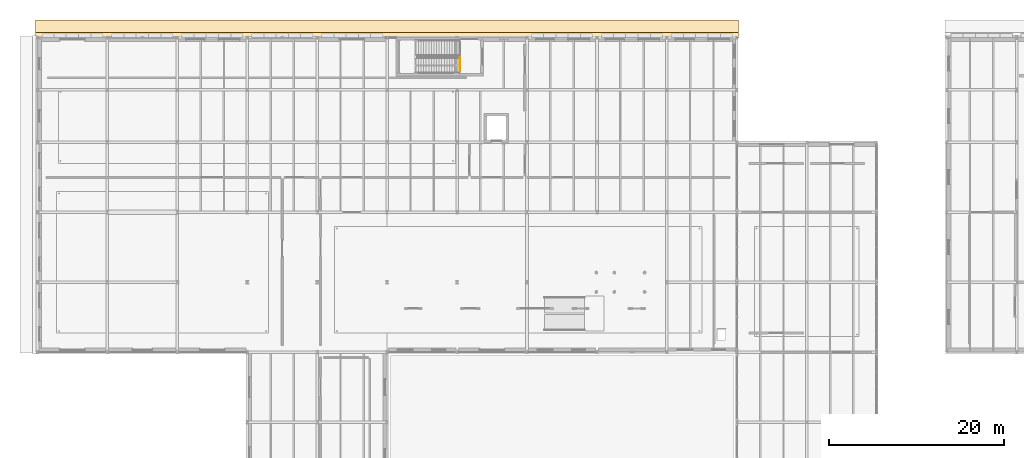
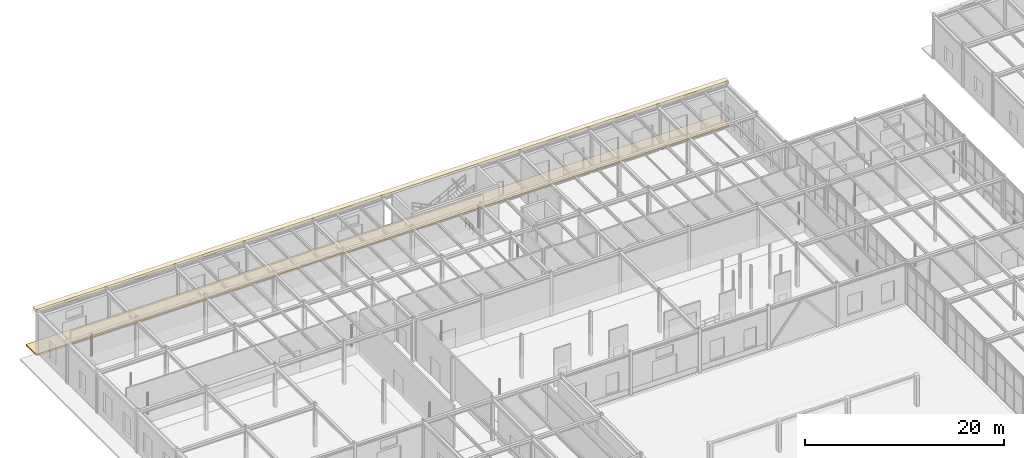
# One storey, part 119 of 129: 2 coverings, 1 railing.
"""IFC4 building model written with IfcOpenShell, lengths in metres."""

from ifc_helpers import new_model, si_unit, direction, frame, origin, origin_2d, place, context, subcontext, project, spatial, polyline, rectangle, circle, outline, extrude, material, layer, layer_set, type_object, element, save


model = new_model("IFC4")

# Units and contexts
model_context = context("Model", 3, precision=1e-05, world=origin(), true_north=direction((0.0, 1.0)))
body_context = subcontext(model_context, "Body", "Model", "MODEL_VIEW")
ifc_project = project(units=[si_unit("LENGTHUNIT", "METRE"), si_unit("AREAUNIT", "SQUARE_METRE"), si_unit("VOLUMEUNIT", "CUBIC_METRE"), si_unit("PLANEANGLEUNIT", "RADIAN"), si_unit("MASSUNIT", "GRAM", prefix="KILO")], contexts=[model_context])

# Site, building, storey
site_placement = place(None, origin())
site = spatial("IfcSite", under=ifc_project, at=site_placement, CompositionType="ELEMENT")
building_placement = place(site_placement, origin())
building = spatial("IfcBuilding", under=site, at=building_placement, Name="Sundkrona Museum", CompositionType="ELEMENT")
storey_placement = place(building_placement, origin())
storey = spatial("IfcBuildingStorey", under=building, at=storey_placement, Name="L00", CompositionType="ELEMENT", Elevation=0.0)

# Coverings
ifc_material_1 = material(Name="Frost-Resistant Vitrified Stoneware Mosaic Cladding", Category="masonry")
ifc_layer = layer(ifc_material_1, 0.044921875)
ifc_layer_set = layer_set([ifc_layer], Name="Frost-Resistant Vitrified Stoneware Mosaic Cladding")
covering_type = type_object("IfcCoveringType", Name="COV-CLD-MOS", PredefinedType="CLADDING", material=ifc_layer_set)
covering_1_placement = place(storey_placement, frame((40.0, 114.280029296875, 5.10986328125), z_axis=(0.0, 0.0, 1.0), x_axis=(1.0, 0.0, 0.0)))
element("IfcCovering", 1, at=covering_1_placement, inside=storey, type_object=covering_type, Name="Classical Corbelled Terracotta Cornice (CRN-V3-N)", PredefinedType="CLADDING", context=body_context, shape_type="SweptSolid", body=[
    extrude(rectangle(XDim=80.39990234375, YDim=0.580078125, at=origin_2d()), origin(), (0.0, 0.0, 1.0), 0.340087890625),
])
covering_2_placement = place(storey_placement, frame((0.0, 0.0, -0.219970703125)))
element("IfcCovering", 2, at=covering_2_placement, inside=storey, type_object=covering_type, Name="Granite Street and Forecourt Civic Plinth (COV-PLN-NORTH-W)", PredefinedType="CLADDING", context=body_context, shape_type="SweptSolid", body=[
    extrude(outline(polyline([(-0.199951171875, 113.949951171875), (80.199951171875, 113.949951171875), (80.199951171875, 116.0), (-0.199951171875, 116.0), (-0.199951171875, 113.949951171875)])), origin(), (0.0, 0.0, 1.0), 0.2099609375),
])

# Railing
ifc_material_2 = material(Name="Painted Steel S355J2 and Laminated Glass Balustrade", Category="steel")
railing_type = type_object("IfcRailingType", Name="RL-GUARD-1100", PredefinedType="BALUSTRADE", material=ifc_material_2)
railing_placement = place(storey_placement, frame((48.3349609375, 110.179931640625, 0.0)))
element("IfcRailing", 3, at=railing_placement, inside=storey, type_object=railing_type, Name="L00 Edge Protection Balustrade 006", PredefinedType="BALUSTRADE", context=body_context, shape_type="SweptSolid", body=[
    extrude(circle(Radius=0.02392578125, at=origin_2d()), frame((0.0, 0.0, 1.09619140625), z_axis=(0.0, 1.0, 0.0), x_axis=(-1.0, 0.0, 0.0)), (0.0, 0.0, 1.0), 1.52001953125),
    extrude(circle(Radius=0.02392578125, at=origin_2d()), frame((0.0, 0.0, 0.56005859375), z_axis=(0.0, 1.0, 0.0), x_axis=(-1.0, 0.0, 0.0)), (0.0, 0.0, 1.0), 1.52001953125),
    extrude(circle(Radius=0.02099609375, at=origin_2d()), origin(), (0.0, 0.0, 1.0), 1.072021484375),
    extrude(circle(Radius=0.02099609375, at=origin_2d()), frame((0.0, 0.760009765625, 0.0)), (0.0, 0.0, 1.0), 1.072021484375),
    extrude(circle(Radius=0.02099609375, at=origin_2d()), frame((0.0, 1.52001953125, 0.0)), (0.0, 0.0, 1.0), 1.072021484375),
])

save(model, "model.ifc")
